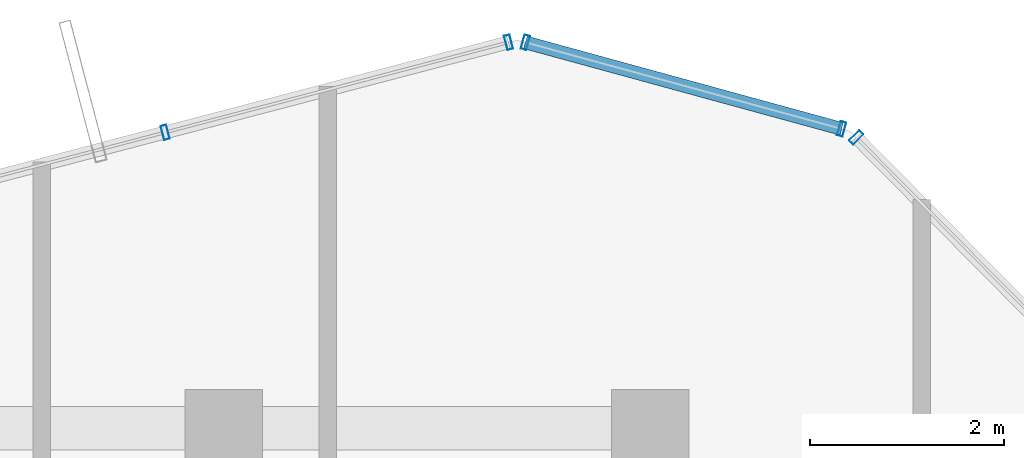
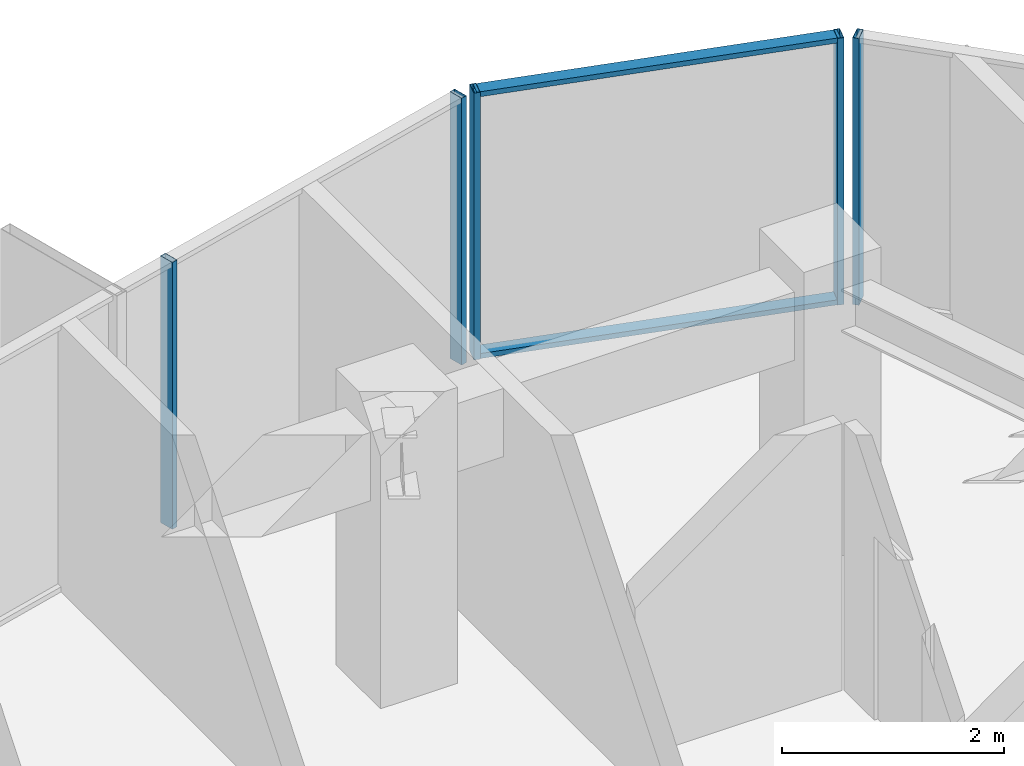
# One storey, part 23 of 29: 7 members, 3 elements without a shape of their own.
"""IFC4 building model written with IfcOpenShell, lengths in metres."""

from ifc_helpers import new_model, si_unit, direction, frame, origin, origin_2d, place, context, subcontext, project, spatial, hollow_rectangle, extrude, source, transform, mapped, material, layer, layer_set, material_profile, profile_set, type_object, element, aggregate, save


model = new_model("IFC4")

# Units and contexts
model_context = context("Model", 3, precision=1e-05, world=origin(), true_north=direction((0.0, 1.0)))
body_context = subcontext(model_context, "Body", "Model", "MODEL_VIEW")
ifc_project = project(units=[si_unit("LENGTHUNIT", "METRE"), si_unit("AREAUNIT", "SQUARE_METRE"), si_unit("VOLUMEUNIT", "CUBIC_METRE"), si_unit("PLANEANGLEUNIT", "RADIAN"), si_unit("MASSUNIT", "GRAM", prefix="KILO")], contexts=[model_context])

# Site, building, storey
site_placement = place(None, origin())
site = spatial("IfcSite", under=ifc_project, at=site_placement, CompositionType="ELEMENT")
building_placement = place(site_placement, origin())
building = spatial("IfcBuilding", under=site, at=building_placement, Name="Veraguas Prism Commons", CompositionType="ELEMENT")
storey_placement = place(building_placement, frame((0.0, 0.0, 261.0)))
storey = spatial("IfcBuildingStorey", under=building, at=storey_placement, Name="L74", CompositionType="ELEMENT", Elevation=261.0)

# Curtain wall, members
ifc_material = material(Name="Anodised aluminium EN AW-6063 T6", Category="aluminium")
ifc_layer = layer(ifc_material, 0.14990234375, Name="Unitised Flush Curtain Wall Zone 4", Category="aluminium")
ifc_layer_set = layer_set([ifc_layer], Name="Anodised aluminium EN AW-6063 T6")
curtain_wall_type = type_object("IfcCurtainWallType", Name="Unitised Flush Curtain Wall Zone 4", PredefinedType="NOTDEFINED", material=ifc_layer_set)
curtain_wall_1_placement = place(storey_placement, origin())
curtain_wall_1 = element("IfcCurtainWall", 1, at=curtain_wall_1_placement, inside=storey, type_object=curtain_wall_type, Name="Chamfer Curtain Wall L74-C2", PredefinedType="NOTDEFINED")
ifc_material_profile_1 = material_profile(ifc_material, hollow_rectangle(XDim=0.054931640625, YDim=0.135009765625, WallThickness=0.0029296875, at=origin_2d()), Name="AL55X135X3")
ifc_profile_set_1 = profile_set([ifc_material_profile_1], Name="Anodised aluminium EN AW-6063 T6")
member_type_1 = type_object("IfcMemberType", Name="Curtain Wall Transom Standard AL 55x135x3", PredefinedType="USERDEFINED", material=ifc_profile_set_1)
shared_shape_1 = source(origin(), body_context, "Body", "SweptSolid", [
    extrude(hollow_rectangle(XDim=0.054931640625, YDim=0.135009765625, WallThickness=0.0029296875, at=origin_2d()), origin(), (0.0, 0.0, 1.0), 3.382568359375),
])
member_1_placement = place(storey_placement, frame((30.37353515625, 40.888427734375, 0.027587890625), z_axis=(-0.964556990279, 0.26387461512, 0.0), x_axis=(0.0, 0.0, 1.0)))
member_1 = element("IfcMember", 2, at=member_1_placement, type_object=member_type_1, Name="CW-Z4 Transom 1", ObjectType="TRANSOM", PredefinedType="USERDEFINED", context=body_context, shape_type="MappedRepresentation", body=[
    mapped(shared_shape_1, transform((0.0, 0.0, 0.0), scale=1.0)),
])
member_2_placement = place(storey_placement, frame((30.37353515625, 40.888427734375, 2.902587890625), z_axis=(-0.964556990279, 0.26387461512, 0.0), x_axis=(0.0, 0.0, 1.0)))
member_2 = element("IfcMember", 3, at=member_2_placement, type_object=member_type_1, Name="CW-Z4 Transom 2", ObjectType="TRANSOM", PredefinedType="USERDEFINED", context=body_context, shape_type="MappedRepresentation", body=[
    mapped(shared_shape_1, transform((0.0, 0.0, 0.0), scale=1.0)),
])

# Curtain wall, member
curtain_wall_2_placement = place(storey_placement, origin())
curtain_wall_2 = element("IfcCurtainWall", 4, at=curtain_wall_2_placement, inside=storey, type_object=curtain_wall_type, Name="Tower Facade Curtain Wall L74-F1", PredefinedType="NOTDEFINED")
ifc_material_profile_2 = material_profile(ifc_material, hollow_rectangle(XDim=0.06005859375, YDim=0.14990234375, WallThickness=0.0029296875, at=origin_2d()), Name="AL60X150X3")
ifc_profile_set_2 = profile_set([ifc_material_profile_2], Name="Anodised aluminium EN AW-6063 T6")
member_type_2 = type_object("IfcMemberType", Name="Curtain Wall Mullion Upper AL 60x150x3", PredefinedType="MULLION", material=ifc_profile_set_2)
shared_shape_2 = source(origin(), body_context, "Body", "SweptSolid", [
    extrude(hollow_rectangle(XDim=0.06005859375, YDim=0.14990234375, WallThickness=0.0029296875, at=origin_2d()), origin(), (0.0, 0.0, 1.0), 2.929931640625),
])
member_3_placement = place(storey_placement, frame((30.523681640625, 40.80078125, 0.0), z_axis=(0.0, 0.0, 1.0), x_axis=(-0.703392221648, 0.710801929179, 0.0)))
member_3 = element("IfcMember", 5, at=member_3_placement, type_object=member_type_2, Name="CW-Z4 Mullion 5", PredefinedType="MULLION", context=body_context, shape_type="MappedRepresentation", body=[
    mapped(shared_shape_2, transform((0.0, 0.0, 0.0), scale=1.0)),
])
aggregate(curtain_wall_2, [member_3])

# Curtain wall, members
curtain_wall_3_placement = place(storey_placement, origin())
curtain_wall_3 = element("IfcCurtainWall", 6, at=curtain_wall_3_placement, inside=storey, type_object=curtain_wall_type, Name="Tower Facade Curtain Wall L74-F2", PredefinedType="NOTDEFINED")
member_4_placement = place(storey_placement, frame((26.93701171875, 41.781982421875, 0.0), z_axis=(0.0, 0.0, 1.0), x_axis=(-0.967265981188, -0.253764697381, 0.0)))
member_4 = element("IfcMember", 7, at=member_4_placement, type_object=member_type_2, Name="CW-Z4 Mullion 1", PredefinedType="MULLION", context=body_context, shape_type="MappedRepresentation", body=[
    mapped(shared_shape_2, transform((0.0, 0.0, 0.0), scale=1.0)),
])
member_5_placement = place(storey_placement, frame((23.395263671875, 40.852783203125, 0.0), z_axis=(0.0, 0.0, 1.0), x_axis=(-0.967265981188, -0.253764697381, 0.0)))
member_5 = element("IfcMember", 8, at=member_5_placement, type_object=member_type_2, Name="CW-Z4 Mullion 2", PredefinedType="MULLION", context=body_context, shape_type="MappedRepresentation", body=[
    mapped(shared_shape_2, transform((0.0, 0.0, 0.0), scale=1.0)),
])
aggregate(curtain_wall_3, [member_4, member_5])

# Member
member_6_placement = place(storey_placement, frame((30.37353515625, 40.888427734375, 0.0), z_axis=(0.0, 0.0, 1.0), x_axis=(-0.964546825138, 0.263911769569, 0.0)))
member_6 = element("IfcMember", 9, at=member_6_placement, type_object=member_type_2, Name="CW-Z4 Mullion 1", PredefinedType="MULLION", context=body_context, shape_type="MappedRepresentation", body=[
    mapped(shared_shape_2, transform((0.0, 0.0, 0.0), scale=1.0)),
])

member_7_placement = place(storey_placement, frame((27.11083984375, 41.781005859375, 0.0), z_axis=(0.0, 0.0, 1.0), x_axis=(-0.964546825138, 0.263911769569, 0.0)))
member_7 = element("IfcMember", 10, at=member_7_placement, type_object=member_type_2, Name="CW-Z4 Mullion 2", PredefinedType="MULLION", context=body_context, shape_type="MappedRepresentation", body=[
    mapped(shared_shape_2, transform((0.0, 0.0, 0.0), scale=1.0)),
])

aggregate(curtain_wall_1, [member_6, member_7, member_1, member_2])

save(model, "model.ifc")
